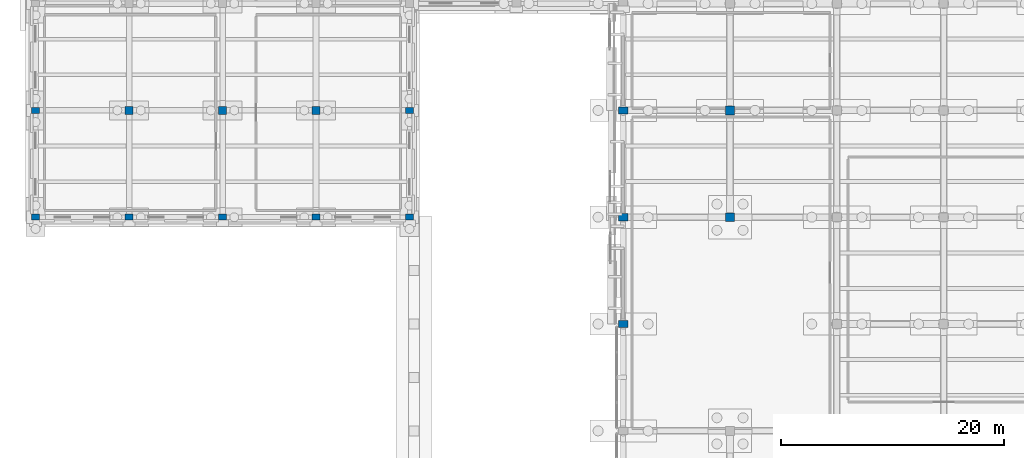
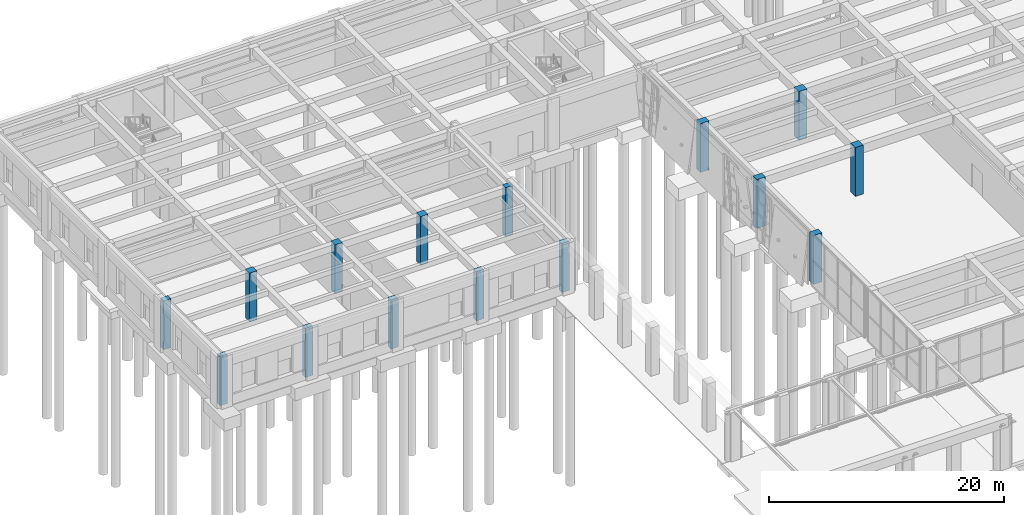
# One storey, part 7 of 51: 15 columns.
"""IFC4 building model written with IfcOpenShell, lengths in metres."""

from ifc_helpers import new_model, si_unit, direction, frame, origin, origin_2d, place, context, subcontext, project, spatial, rectangle, extrude, material, material_profile, profile_set, type_object, element, save


model = new_model("IFC4")

# Units and contexts
model_context = context("Model", 3, precision=1e-05, world=origin(), true_north=direction((0.0, 1.0)))
body_context = subcontext(model_context, "Body", "Model", "MODEL_VIEW")
ifc_project = project(units=[si_unit("LENGTHUNIT", "METRE"), si_unit("AREAUNIT", "SQUARE_METRE"), si_unit("VOLUMEUNIT", "CUBIC_METRE"), si_unit("PLANEANGLEUNIT", "RADIAN"), si_unit("MASSUNIT", "GRAM", prefix="KILO")], contexts=[model_context])

# Site, building, storey
site_placement = place(None, origin())
site = spatial("IfcSite", under=ifc_project, at=site_placement, CompositionType="ELEMENT")
building_placement = place(site_placement, origin())
building = spatial("IfcBuilding", under=site, at=building_placement, Name="Bempovik Park Faculty of Sciences", CompositionType="ELEMENT")
storey_placement = place(building_placement, origin())
storey = spatial("IfcBuildingStorey", under=building, at=storey_placement, Name="L00", CompositionType="ELEMENT", Elevation=0.0)

# Columns
ifc_material = material(Name="Concrete C40/50", Category="concrete")
ifc_material_profile_1 = material_profile(ifc_material, rectangle(XDim=0.719970703125, YDim=0.5400390625, at=origin_2d()), Name="RC 720x540")
ifc_profile_set_1 = profile_set([ifc_material_profile_1], Name="Concrete C40/50")
column_type_1 = type_object("IfcColumnType", Name="C-18 RC 720x540", PredefinedType="COLUMN", material=ifc_profile_set_1)
for number, where, z_axis, x_axis, name in (
    (1, (7.199951171875, 48.60009765625, 0.0), (0.0, 0.0, 1.0), (1.0, 0.0, 0.0), "L00 Structural Column (7.2,48.6)"),
    (2, (7.199951171875, 58.199951171875, 0.0), (0.0, 0.0, 1.0), (1.0, 0.0, 0.0), "L00 Structural Column (7.2,58.2)"),
    (3, (15.60009765625, 48.60009765625, 0.0), (0.0, 0.0, 1.0), (1.0, 0.0, 0.0), "L00 Structural Column (15.6,48.6)"),
    (4, (24.0, 48.60009765625, 0.0), (0.0, 0.0, 1.0), (1.0, 0.0, 0.0), "L00 Structural Column (24.0,48.6)"),
    (5, (32.39990234375, 48.60009765625, 0.0), (0.0, 0.0, 1.0), (1.0, 0.0, 0.0), "L00 Structural Column (32.4,48.6)"),
    (6, (40.800048828125, 48.60009765625, 0.0), (0.0, 0.0, 1.0), (1.0, 0.0, 0.0), "L00 Structural Column (40.8,48.6)"),
    (7, (40.800048828125, 58.199951171875, 0.0), (0.0, 0.0, 1.0), (1.0, 0.0, 0.0), "L00 Structural Column (40.8,58.2)"),
):
    element("IfcColumn", number, at=place(storey_placement, frame(where, z_axis=z_axis, x_axis=x_axis)), inside=storey, type_object=column_type_1, Name=name, PredefinedType="COLUMN", context=body_context, shape_type="SweptSolid", body=[
        extrude(rectangle(XDim=0.719970703125, YDim=0.5400390625, at=origin_2d()), origin(), (0.0, 0.0, 1.0), 5.080078125),
    ])
ifc_material_profile_2 = material_profile(ifc_material, rectangle(XDim=0.719970703125, YDim=0.719970703125, at=origin_2d()), Name="RC 720x720")
ifc_profile_set_2 = profile_set([ifc_material_profile_2], Name="Concrete C40/50")
column_type_2 = type_object("IfcColumnType", Name="C-28 RC 720x720", PredefinedType="COLUMN", material=ifc_profile_set_2)
for number, where, z_axis, x_axis, name in (
    (8, (15.60009765625, 58.199951171875, 0.0), (0.0, 0.0, 1.0), (1.0, 0.0, 0.0), "L00 Structural Column (15.6,58.2)"),
    (9, (24.0, 58.199951171875, 0.0), (0.0, 0.0, 1.0), (1.0, 0.0, 0.0), "L00 Structural Column (24.0,58.2)"),
    (10, (32.39990234375, 58.199951171875, 0.0), (0.0, 0.0, 1.0), (1.0, 0.0, 0.0), "L00 Structural Column (32.4,58.2)"),
):
    element("IfcColumn", number, at=place(storey_placement, frame(where, z_axis=z_axis, x_axis=x_axis)), inside=storey, type_object=column_type_2, Name=name, PredefinedType="COLUMN", context=body_context, shape_type="SweptSolid", body=[
        extrude(rectangle(XDim=0.719970703125, YDim=0.719970703125, at=origin_2d()), origin(), (0.0, 0.0, 1.0), 5.080078125),
    ])
ifc_material_profile_3 = material_profile(ifc_material, rectangle(XDim=0.800048828125, YDim=0.800048828125, at=origin_2d()), Name="RC 800x800")
ifc_profile_set_3 = profile_set([ifc_material_profile_3], Name="Concrete C40/50")
column_type_3 = type_object("IfcColumnType", Name="C-33 RC 800x800", PredefinedType="COLUMN", material=ifc_profile_set_3)
for number, where, z_axis, x_axis, name in (
    (11, (69.60009765625, 48.60009765625, 0.0), (0.0, 0.0, 1.0), (1.0, 0.0, 0.0), "L00 Structural Column (69.6,48.6)"),
    (12, (69.60009765625, 58.199951171875, 0.0), (0.0, 0.0, 1.0), (1.0, 0.0, 0.0), "L00 Structural Column (69.6,58.2)"),
):
    element("IfcColumn", number, at=place(storey_placement, frame(where, z_axis=z_axis, x_axis=x_axis)), inside=storey, type_object=column_type_3, Name=name, PredefinedType="COLUMN", context=body_context, shape_type="SweptSolid", body=[
        extrude(rectangle(XDim=0.800048828125, YDim=0.800048828125, at=origin_2d()), origin(), (0.0, 0.0, 1.0), 5.080078125),
    ])
ifc_material_profile_4 = material_profile(ifc_material, rectangle(XDim=0.85009765625, YDim=0.64990234375, at=origin_2d()), Name="RC 850x650")
ifc_profile_set_4 = profile_set([ifc_material_profile_4], Name="Concrete C40/50")
column_type_4 = type_object("IfcColumnType", Name="C-71 RC 850x650", PredefinedType="COLUMN", material=ifc_profile_set_4)
for number, where, z_axis, x_axis, name in (
    (13, (60.0, 39.0, 0.0), (0.0, 0.0, 1.0), (1.0, 0.0, 0.0), "L00 Structural Column (60.0,39.0)"),
    (14, (60.0, 48.60009765625, 0.0), (0.0, 0.0, 1.0), (1.0, 0.0, 0.0), "L00 Structural Column (60.0,48.6)"),
    (15, (60.0, 58.199951171875, 0.0), (0.0, 0.0, 1.0), (1.0, 0.0, 0.0), "L00 Structural Column (60.0,58.2)"),
):
    element("IfcColumn", number, at=place(storey_placement, frame(where, z_axis=z_axis, x_axis=x_axis)), inside=storey, type_object=column_type_4, Name=name, PredefinedType="COLUMN", context=body_context, shape_type="SweptSolid", body=[
        extrude(rectangle(XDim=0.85009765625, YDim=0.64990234375, at=origin_2d()), origin(), (0.0, 0.0, 1.0), 5.080078125),
    ])

save(model, "model.ifc")
